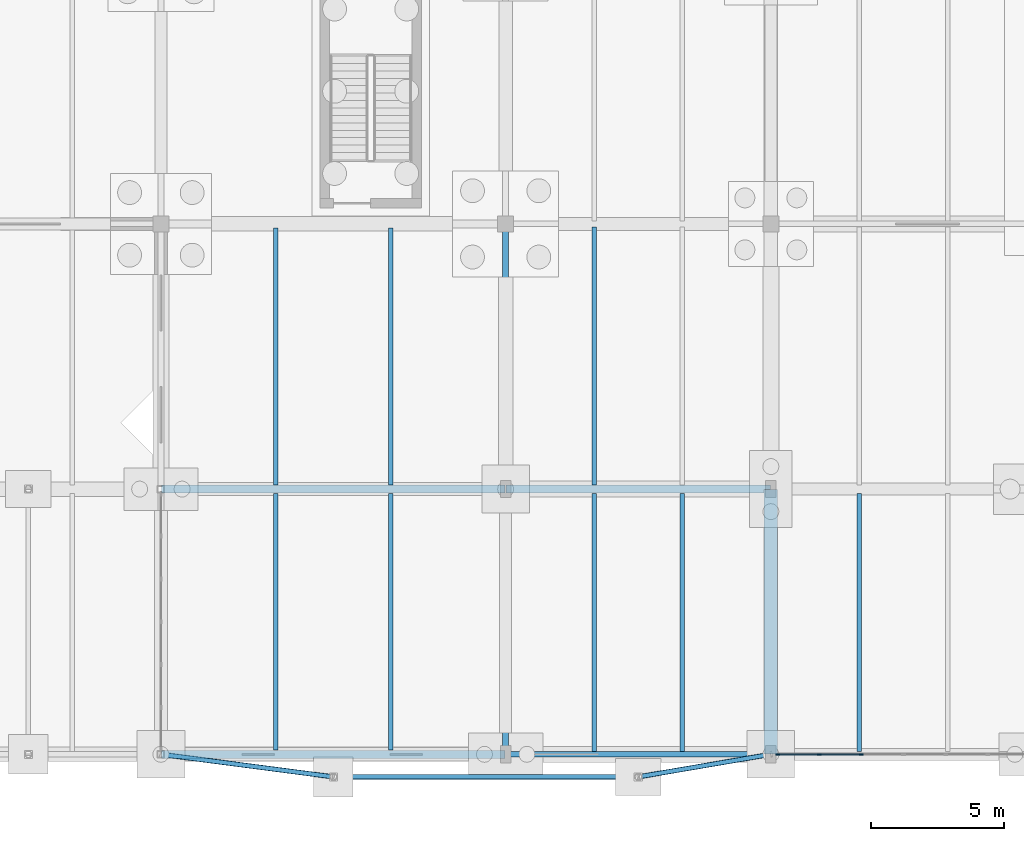
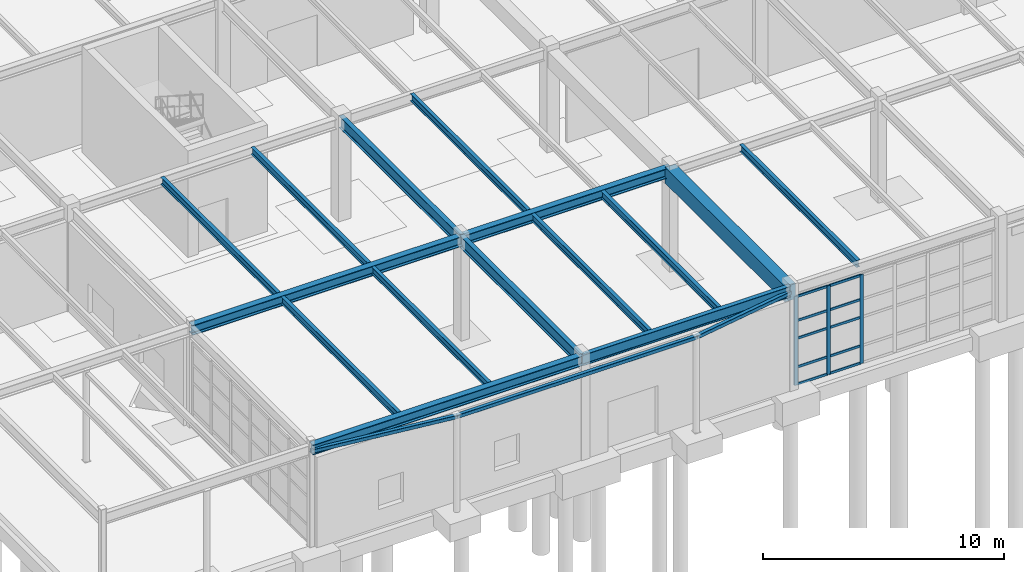
# One storey, part 63 of 145: 18 beams, 13 members, 1 element without a shape of its own.
"""IFC4 building model written with IfcOpenShell, lengths in metres."""

from ifc_helpers import new_model, si_unit, direction, frame, origin, origin_2d, place, context, subcontext, project, spatial, rectangle, hollow_rectangle, i_section, extrude, material, layer, layer_set, material_profile, profile_set, type_object, element, aggregate, save


model = new_model("IFC4")

# Units and contexts
model_context = context("Model", 3, precision=1e-05, world=origin(), true_north=direction((0.0, 1.0)))
body_context = subcontext(model_context, "Body", "Model", "MODEL_VIEW")
ifc_project = project(units=[si_unit("LENGTHUNIT", "METRE"), si_unit("AREAUNIT", "SQUARE_METRE"), si_unit("VOLUMEUNIT", "CUBIC_METRE"), si_unit("PLANEANGLEUNIT", "RADIAN"), si_unit("MASSUNIT", "GRAM", prefix="KILO"), si_unit("THERMODYNAMICTEMPERATUREUNIT", "KELVIN"), si_unit("POWERUNIT", "WATT")], contexts=[model_context])

# Site, building, storey
site_placement = place(None, origin())
site = spatial("IfcSite", under=ifc_project, at=site_placement, CompositionType="ELEMENT")
building_placement = place(site_placement, origin())
building = spatial("IfcBuilding", under=site, at=building_placement, Name="Korenveer Ferry Terminal", CompositionType="ELEMENT")
storey_placement = place(building_placement, origin())
storey = spatial("IfcBuildingStorey", under=building, at=storey_placement, Name="L00", CompositionType="ELEMENT", Elevation=0.0)

# Curtain wall, members
ifc_material_1 = material(Name="Unitised bronze-and-glass curtain wall", Category="glass")
ifc_layer = layer(ifc_material_1, 0.159912109375)
ifc_layer_set = layer_set([ifc_layer], Name="Unitised bronze-and-glass curtain wall")
curtain_wall_type = type_object("IfcCurtainWallType", Name="ENV-CW-01", PredefinedType="USERDEFINED", material=ifc_layer_set)
curtain_wall_placement = place(storey_placement, frame((146.22998046875, 0.0, 0.0)))
curtain_wall = element("IfcCurtainWall", 1, at=curtain_wall_placement, inside=storey, type_object=curtain_wall_type, Name="Lancet curtain wall CWX-L00-X146-156-Y0-0", ObjectType="UNITISED CURTAIN WALL", PredefinedType="USERDEFINED")
ifc_material_2 = material(Name="Anodised bronze aluminium", Category="aluminium")
ifc_material_profile_1 = material_profile(ifc_material_2, rectangle(XDim=0.06005859375, YDim=0.159912109375, at=origin_2d()), Name="ALU 60x160")
ifc_profile_set_1 = profile_set([ifc_material_profile_1], Name="Anodised bronze aluminium")
member_type_1 = type_object("IfcMemberType", Name="ENV-CWM-60X160", PredefinedType="MULLION", material=ifc_profile_set_1)
member_1_placement = place(storey_placement, frame((146.260009765625, 0.0, 0.0), z_axis=(0.0, 0.0, 1.0), x_axis=(0.0, 1.0, 0.0)))
member_1 = element("IfcMember", 2, at=member_1_placement, type_object=member_type_1, Name="CW-01 mullion 1", PredefinedType="MULLION", context=body_context, shape_type="SweptSolid", body=[
    extrude(rectangle(XDim=0.06005859375, YDim=0.159912109375, at=origin_2d()), origin(), (0.0, 0.0, 1.0), 4.5),
])
member_2_placement = place(storey_placement, frame((147.820068359375, 0.0, 0.0), z_axis=(0.0, 0.0, 1.0), x_axis=(0.0, 1.0, 0.0)))
member_2 = element("IfcMember", 3, at=member_2_placement, type_object=member_type_1, Name="CW-01 mullion 2", PredefinedType="MULLION", context=body_context, shape_type="SweptSolid", body=[
    extrude(rectangle(XDim=0.06005859375, YDim=0.159912109375, at=origin_2d()), origin(), (0.0, 0.0, 1.0), 4.5),
])
member_3_placement = place(storey_placement, frame((149.409912109375, 0.0, 0.0), z_axis=(0.0, 0.0, 1.0), x_axis=(0.0, 1.0, 0.0)))
member_3 = element("IfcMember", 4, at=member_3_placement, type_object=member_type_1, Name="CW-01 mullion 3", PredefinedType="MULLION", context=body_context, shape_type="SweptSolid", body=[
    extrude(rectangle(XDim=0.06005859375, YDim=0.159912109375, at=origin_2d()), origin(), (0.0, 0.0, 1.0), 4.5),
])
ifc_material_profile_2 = material_profile(ifc_material_2, rectangle(XDim=0.06005859375, YDim=0.1201171875, at=origin_2d()), Name="ALU 60x120")
ifc_profile_set_2 = profile_set([ifc_material_profile_2], Name="Anodised bronze aluminium")
member_type_2 = type_object("IfcMemberType", Name="ENV-CWT-60X120", PredefinedType="USERDEFINED", material=ifc_profile_set_2)
member_4_placement = place(storey_placement, frame((146.2900390625, 0.0, 0.030029296875), z_axis=(1.0, 0.0, 0.0), x_axis=(0.0, 1.0, 0.0)))
member_4 = element("IfcMember", 5, at=member_4_placement, type_object=member_type_2, Name="CW-01 transom 1.1", ObjectType="TRANSOM", PredefinedType="USERDEFINED", context=body_context, shape_type="SweptSolid", body=[
    extrude(rectangle(XDim=0.06005859375, YDim=0.1201171875, at=origin_2d()), origin(), (0.0, 0.0, 1.0), 1.5),
])
member_5_placement = place(storey_placement, frame((146.2900390625, 0.0, 0.89990234375), z_axis=(1.0, 0.0, 0.0), x_axis=(0.0, 1.0, 0.0)))
member_5 = element("IfcMember", 6, at=member_5_placement, type_object=member_type_2, Name="CW-01 transom 1.2", ObjectType="TRANSOM", PredefinedType="USERDEFINED", context=body_context, shape_type="SweptSolid", body=[
    extrude(rectangle(XDim=0.06005859375, YDim=0.1201171875, at=origin_2d()), origin(), (0.0, 0.0, 1.0), 1.5),
])
member_6_placement = place(storey_placement, frame((146.2900390625, 0.0, 2.35009765625), z_axis=(1.0, 0.0, 0.0), x_axis=(0.0, 1.0, 0.0)))
member_6 = element("IfcMember", 7, at=member_6_placement, type_object=member_type_2, Name="CW-01 transom 1.3", ObjectType="TRANSOM", PredefinedType="USERDEFINED", context=body_context, shape_type="SweptSolid", body=[
    extrude(rectangle(XDim=0.06005859375, YDim=0.1201171875, at=origin_2d()), origin(), (0.0, 0.0, 1.0), 1.5),
])
member_7_placement = place(storey_placement, frame((146.2900390625, 0.0, 3.25), z_axis=(1.0, 0.0, 0.0), x_axis=(0.0, 1.0, 0.0)))
member_7 = element("IfcMember", 8, at=member_7_placement, type_object=member_type_2, Name="CW-01 transom 1.4", ObjectType="TRANSOM", PredefinedType="USERDEFINED", context=body_context, shape_type="SweptSolid", body=[
    extrude(rectangle(XDim=0.06005859375, YDim=0.1201171875, at=origin_2d()), origin(), (0.0, 0.0, 1.0), 1.5),
])
member_8_placement = place(storey_placement, frame((146.2900390625, 0.0, 4.469970703125), z_axis=(1.0, 0.0, 0.0), x_axis=(0.0, 1.0, 0.0)))
member_8 = element("IfcMember", 9, at=member_8_placement, type_object=member_type_2, Name="CW-01 transom 1.5", ObjectType="TRANSOM", PredefinedType="USERDEFINED", context=body_context, shape_type="SweptSolid", body=[
    extrude(rectangle(XDim=0.06005859375, YDim=0.1201171875, at=origin_2d()), origin(), (0.0, 0.0, 1.0), 1.5),
])
member_9_placement = place(storey_placement, frame((147.85009765625, 0.0, 0.030029296875), z_axis=(1.0, 0.0, 0.0), x_axis=(0.0, 1.0, 0.0)))
member_9 = element("IfcMember", 10, at=member_9_placement, type_object=member_type_2, Name="CW-01 transom 2.1", ObjectType="TRANSOM", PredefinedType="USERDEFINED", context=body_context, shape_type="SweptSolid", body=[
    extrude(rectangle(XDim=0.06005859375, YDim=0.1201171875, at=origin_2d()), origin(), (0.0, 0.0, 1.0), 1.52978515625),
])
member_10_placement = place(storey_placement, frame((147.85009765625, 0.0, 0.89990234375), z_axis=(1.0, 0.0, 0.0), x_axis=(0.0, 1.0, 0.0)))
member_10 = element("IfcMember", 11, at=member_10_placement, type_object=member_type_2, Name="CW-01 transom 2.2", ObjectType="TRANSOM", PredefinedType="USERDEFINED", context=body_context, shape_type="SweptSolid", body=[
    extrude(rectangle(XDim=0.06005859375, YDim=0.1201171875, at=origin_2d()), origin(), (0.0, 0.0, 1.0), 1.52978515625),
])
member_11_placement = place(storey_placement, frame((147.85009765625, 0.0, 2.35009765625), z_axis=(1.0, 0.0, 0.0), x_axis=(0.0, 1.0, 0.0)))
member_11 = element("IfcMember", 12, at=member_11_placement, type_object=member_type_2, Name="CW-01 transom 2.3", ObjectType="TRANSOM", PredefinedType="USERDEFINED", context=body_context, shape_type="SweptSolid", body=[
    extrude(rectangle(XDim=0.06005859375, YDim=0.1201171875, at=origin_2d()), origin(), (0.0, 0.0, 1.0), 1.52978515625),
])
member_12_placement = place(storey_placement, frame((147.85009765625, 0.0, 3.25), z_axis=(1.0, 0.0, 0.0), x_axis=(0.0, 1.0, 0.0)))
member_12 = element("IfcMember", 13, at=member_12_placement, type_object=member_type_2, Name="CW-01 transom 2.4", ObjectType="TRANSOM", PredefinedType="USERDEFINED", context=body_context, shape_type="SweptSolid", body=[
    extrude(rectangle(XDim=0.06005859375, YDim=0.1201171875, at=origin_2d()), origin(), (0.0, 0.0, 1.0), 1.52978515625),
])
member_13_placement = place(storey_placement, frame((147.85009765625, 0.0, 4.469970703125), z_axis=(1.0, 0.0, 0.0), x_axis=(0.0, 1.0, 0.0)))
member_13 = element("IfcMember", 14, at=member_13_placement, type_object=member_type_2, Name="CW-01 transom 2.5", ObjectType="TRANSOM", PredefinedType="USERDEFINED", context=body_context, shape_type="SweptSolid", body=[
    extrude(rectangle(XDim=0.06005859375, YDim=0.1201171875, at=origin_2d()), origin(), (0.0, 0.0, 1.0), 1.52978515625),
])
aggregate(curtain_wall, [member_1, member_2, member_3, member_4, member_5, member_6, member_7, member_8, member_9, member_10, member_11, member_12, member_13])

# Beams
ifc_material_3 = material(Name="Steel S355", Category="steel")
ifc_material_profile_3 = material_profile(ifc_material_3, i_section(OverallWidth=0.300048828125, OverallDepth=0.5, WebThickness=0.014404296875, FlangeThickness=0.028076171875, FilletRadius=0.027099609375, at=origin_2d()), Name="HEB 500")
ifc_profile_set_3 = profile_set([ifc_material_profile_3], Name="Steel S355")
beam_type_1 = type_object("IfcBeamType", Name="STR-BM-HEB500", PredefinedType="BEAM", material=ifc_profile_set_3)
for number, where, z_axis, x_axis, name in (
    (15, (123.02001953125, 0.0, 4.909912109375), (1.0, 0.0, 0.0), (0.0, 1.0, 0.0), "Primary X girder BMX-L01-X123-136-Y0"),
    (16, (123.02001953125, 10.0, 4.909912109375), (1.0, 0.0, 0.0), (0.0, 1.0, 0.0), "Primary X girder BMX-L01-X123-136-Y10"),
):
    element("IfcBeam", number, at=place(storey_placement, frame(where, z_axis=z_axis, x_axis=x_axis)), inside=storey, type_object=beam_type_1, Name=name, PredefinedType="BEAM", context=body_context, shape_type="SweptSolid", body=[
        extrude(i_section(OverallWidth=0.300048828125, OverallDepth=0.5, WebThickness=0.014404296875, FlangeThickness=0.028076171875, FilletRadius=0.027099609375, at=origin_2d()), origin(), (0.0, 0.0, 1.0), 12.9599609375),
    ])
beam_1_placement = place(storey_placement, frame((136.02001953125, 10.0, 4.909912109375), z_axis=(1.0, 0.0, 0.0), x_axis=(0.0, 1.0, 0.0)))
element("IfcBeam", 17, at=beam_1_placement, inside=storey, type_object=beam_type_1, Name="Primary X girder BMX-L01-X136-146-Y10", PredefinedType="BEAM", context=body_context, shape_type="SweptSolid", body=[
    extrude(i_section(OverallWidth=0.300048828125, OverallDepth=0.5, WebThickness=0.014404296875, FlangeThickness=0.028076171875, FilletRadius=0.027099609375, at=origin_2d()), origin(), (0.0, 0.0, 1.0), 9.9599609375),
])
ifc_material_profile_4 = material_profile(ifc_material_3, i_section(OverallWidth=0.2099609375, OverallDepth=0.550048828125, WebThickness=0.010986328125, FlangeThickness=0.01708984375, FilletRadius=0.02392578125, at=origin_2d()), Name="IPE 550")
ifc_profile_set_4 = profile_set([ifc_material_profile_4], Name="Steel S355")
beam_type_2 = type_object("IfcBeamType", Name="STR-BM-IPE550", PredefinedType="BEAM", material=ifc_profile_set_4)
beam_2_placement = place(storey_placement, frame((136.02001953125, 0.0, 4.885009765625), z_axis=(1.0, 0.0, 0.0), x_axis=(0.0, 1.0, 0.0)))
element("IfcBeam", 18, at=beam_2_placement, inside=storey, type_object=beam_type_2, Name="Primary X girder BMX-L01-X136-146-Y0", PredefinedType="BEAM", context=body_context, shape_type="SweptSolid", body=[
    extrude(i_section(OverallWidth=0.2099609375, OverallDepth=0.550048828125, WebThickness=0.010986328125, FlangeThickness=0.01708984375, FilletRadius=0.02392578125, at=origin_2d()), origin(), (0.0, 0.0, 1.0), 9.9599609375),
])
ifc_material_profile_5 = material_profile(ifc_material_3, i_section(OverallWidth=0.219970703125, OverallDepth=0.60009765625, WebThickness=0.011962890625, FlangeThickness=0.01904296875, FilletRadius=0.02392578125, at=origin_2d()), Name="IPE 600")
ifc_profile_set_5 = profile_set([ifc_material_profile_5], Name="Steel S355")
beam_type_3 = type_object("IfcBeamType", Name="STR-BM-IPE600", PredefinedType="BEAM", material=ifc_profile_set_5)
for number, where, z_axis, x_axis, name in (
    (19, (136.0, 0.02001953125, 4.860107421875), (0.0, 1.0, 0.0), (-1.0, 0.0, 0.0), "Primary Y girder BMY-L01-X136-Y0-10"),
    (20, (136.0, 10.02001953125, 4.860107421875), (0.0, 1.0, 0.0), (-1.0, 0.0, 0.0), "Primary Y girder BMY-L01-X136-Y10-20"),
):
    element("IfcBeam", number, at=place(storey_placement, frame(where, z_axis=z_axis, x_axis=x_axis)), inside=storey, type_object=beam_type_3, Name=name, PredefinedType="BEAM", context=body_context, shape_type="SweptSolid", body=[
        extrude(i_section(OverallWidth=0.219970703125, OverallDepth=0.60009765625, WebThickness=0.011962890625, FlangeThickness=0.01904296875, FilletRadius=0.02392578125, at=origin_2d()), origin(), (0.0, 0.0, 1.0), 9.9599609375),
    ])
ifc_material_4 = material(Name="Concrete C40/50", Category="concrete")
ifc_material_profile_6 = material_profile(ifc_material_4, rectangle(XDim=0.5, YDim=0.800048828125, at=origin_2d()), Name="RC 500x800")
ifc_profile_set_6 = profile_set([ifc_material_profile_6], Name="Concrete C40/50")
beam_type_4 = type_object("IfcBeamType", Name="STR-BM-RC500X800", PredefinedType="BEAM", material=ifc_profile_set_6)
beam_3_placement = place(storey_placement, frame((146.0, 0.02001953125, 4.760009765625), z_axis=(0.0, 1.0, 0.0), x_axis=(-1.0, 0.0, 0.0)))
element("IfcBeam", 21, at=beam_3_placement, inside=storey, type_object=beam_type_4, Name="Primary Y girder BMY-L01-X146-Y0-10", PredefinedType="BEAM", context=body_context, shape_type="SweptSolid", body=[
    extrude(rectangle(XDim=0.5, YDim=0.800048828125, at=origin_2d()), origin(), (0.0, 0.0, 1.0), 9.9599609375),
])
ifc_material_profile_7 = material_profile(ifc_material_3, i_section(OverallWidth=0.169921875, OverallDepth=0.360107421875, WebThickness=0.008056640625, FlangeThickness=0.0126953125, FilletRadius=0.01806640625, at=origin_2d()), Name="IPE 360")
ifc_profile_set_7 = profile_set([ifc_material_profile_7], Name="Steel S355")
beam_type_5 = type_object("IfcBeamType", Name="STR-JST-IPE360", PredefinedType="JOIST", material=ifc_profile_set_7)
for number, where, z_axis, x_axis, name in (
    (22, (127.333251953125, 0.159912109375, 4.97998046875), (0.0, 1.0, 0.0), (-1.0, 0.0, 0.0), "Secondary composite joist JST-L01-X1273-Y0-10"),
    (23, (131.666748046875, 0.159912109375, 4.97998046875), (0.0, 1.0, 0.0), (-1.0, 0.0, 0.0), "Secondary composite joist JST-L01-X1317-Y0-10"),
    (24, (127.333251953125, 10.159912109375, 4.97998046875), (0.0, 1.0, 0.0), (-1.0, 0.0, 0.0), "Secondary composite joist JST-L01-X1273-Y10-20"),
    (25, (131.666748046875, 10.159912109375, 4.97998046875), (0.0, 1.0, 0.0), (-1.0, 0.0, 0.0), "Secondary composite joist JST-L01-X1317-Y10-20"),
):
    element("IfcBeam", number, at=place(storey_placement, frame(where, z_axis=z_axis, x_axis=x_axis)), inside=storey, type_object=beam_type_5, Name=name, PredefinedType="JOIST", context=body_context, shape_type="SweptSolid", body=[
        extrude(i_section(OverallWidth=0.169921875, OverallDepth=0.360107421875, WebThickness=0.008056640625, FlangeThickness=0.0126953125, FilletRadius=0.01806640625, at=origin_2d()), origin(), (0.0, 0.0, 1.0), 9.68017578125),
    ])
for number, where, z_axis, x_axis, name in (
    (26, (139.333251953125, 0.114990234375, 4.97998046875), (0.0, 1.0, 0.0), (-1.0, 0.0, 0.0), "Secondary composite joist JST-L01-X1393-Y0-10"),
    (27, (142.666748046875, 0.114990234375, 4.97998046875), (0.0, 1.0, 0.0), (-1.0, 0.0, 0.0), "Secondary composite joist JST-L01-X1427-Y0-10"),
    (28, (139.333251953125, 10.159912109375, 4.97998046875), (0.0, 1.0, 0.0), (-1.0, 0.0, 0.0), "Secondary composite joist JST-L01-X1393-Y10-20"),
    (29, (149.333251953125, 0.114990234375, 5.0), (0.0, 1.0, 0.0), (-1.0, 0.0, 0.0), "Secondary composite joist JST-L01-X1493-Y0-10"),
):
    element("IfcBeam", number, at=place(storey_placement, frame(where, z_axis=z_axis, x_axis=x_axis)), inside=storey, type_object=beam_type_5, Name=name, PredefinedType="JOIST", context=body_context, shape_type="SweptSolid", body=[
        extrude(i_section(OverallWidth=0.169921875, OverallDepth=0.360107421875, WebThickness=0.008056640625, FlangeThickness=0.0126953125, FilletRadius=0.01806640625, at=origin_2d()), origin(), (0.0, 0.0, 1.0), 9.72509765625),
    ])
ifc_material_profile_8 = material_profile(ifc_material_3, hollow_rectangle(XDim=0.179931640625, YDim=0.179931640625, WallThickness=0.010009765625, InnerFilletRadius=0.010009765625, OuterFilletRadius=0.014892578125, at=origin_2d()), Name="SHS 180x180x10")
ifc_profile_set_8 = profile_set([ifc_material_profile_8], Name="Steel S355")
beam_type_6 = type_object("IfcBeamType", Name="STR-LNT-SHS180", PredefinedType="LINTEL", material=ifc_profile_set_8)
beam_4_placement = place(storey_placement, frame((129.5, -0.85009765625, 4.800048828125), z_axis=(1.0, 0.0, 0.0), x_axis=(0.0, 1.0, 0.0)))
element("IfcBeam", 30, at=beam_4_placement, inside=storey, type_object=beam_type_6, Name="Forecourt arcade lintel LNT-FCPAIR-04", PredefinedType="LINTEL", context=body_context, shape_type="SweptSolid", body=[
    extrude(hollow_rectangle(XDim=0.179931640625, YDim=0.179931640625, WallThickness=0.010009765625, InnerFilletRadius=0.010009765625, OuterFilletRadius=0.014892578125, at=origin_2d()), origin(), (0.0, 0.0, 1.0), 11.5),
])
beam_5_placement = place(storey_placement, frame((123.0, 0.0, 4.800048828125), z_axis=(0.991555910335, -0.129679900833, 0.0), x_axis=(0.129679900833, 0.991555910335, 0.0)))
element("IfcBeam", 31, at=beam_5_placement, inside=storey, type_object=beam_type_6, Name="Forecourt tie beam LNT-FCTIE-04A", PredefinedType="LINTEL", context=body_context, shape_type="SweptSolid", body=[
    extrude(hollow_rectangle(XDim=0.179931640625, YDim=0.179931640625, WallThickness=0.010009765625, InnerFilletRadius=0.010009765625, OuterFilletRadius=0.014892578125, at=origin_2d()), origin(), (0.0, 0.0, 1.0), 6.555419921875),
])
beam_6_placement = place(storey_placement, frame((146.0, 0.0, 4.800048828125), z_axis=(-0.985852665096, -0.167614208001, 0.0), x_axis=(0.167614208001, -0.985852665096, 0.0)))
element("IfcBeam", 32, at=beam_6_placement, inside=storey, type_object=beam_type_6, Name="Forecourt tie beam LNT-FCTIE-04B", PredefinedType="LINTEL", context=body_context, shape_type="SweptSolid", body=[
    extrude(hollow_rectangle(XDim=0.179931640625, YDim=0.179931640625, WallThickness=0.010009765625, InnerFilletRadius=0.010009765625, OuterFilletRadius=0.014892578125, at=origin_2d()), origin(), (0.0, 0.0, 1.0), 5.07177734375),
])

save(model, "model.ifc")
